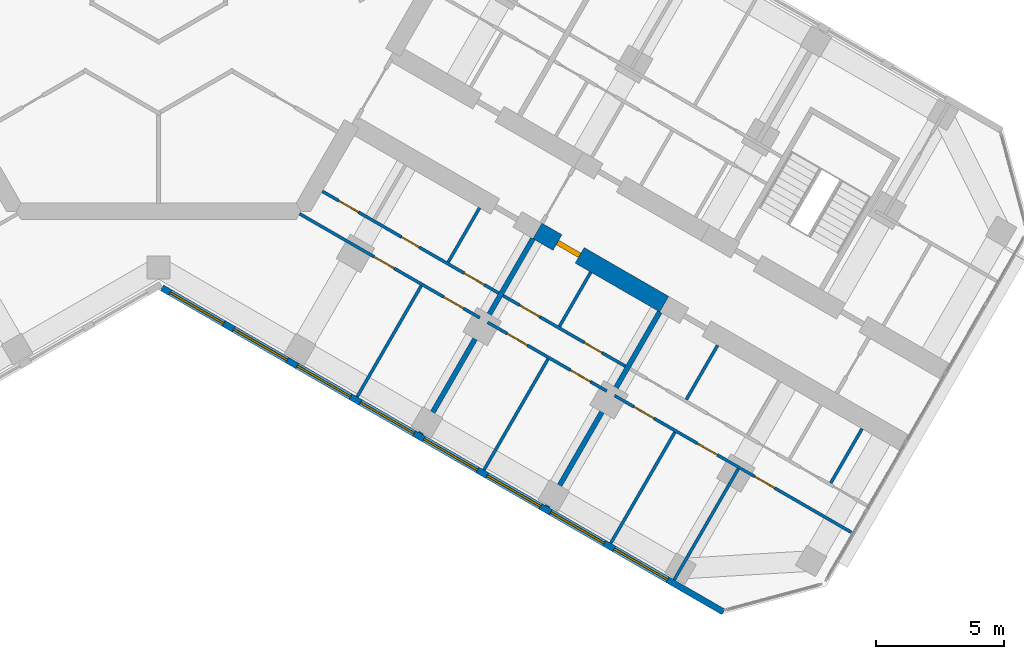
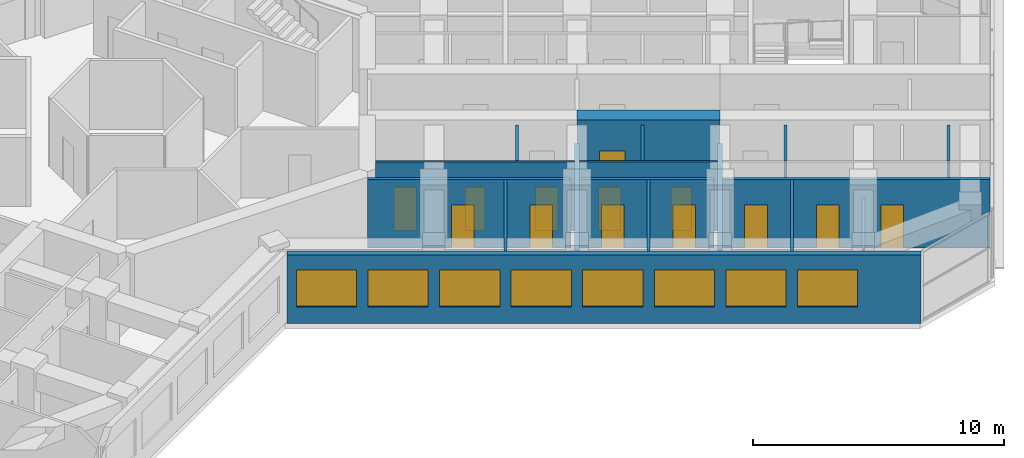
# One storey, part 11 of 17: 17 walls, 13 doors, 8 windows, 21 openings.
"""IFC4 building model written with IfcOpenShell, lengths in metres."""

from ifc_helpers import new_model, si_unit, direction, frame, frame_2d, origin, place, context, subcontext, project, spatial, rectangle, extrude, material, layer, layer_set, type_object, element, fill, save


model = new_model("IFC4")

# Units and contexts
model_context = context("Model", 3, precision=1e-05, world=origin(), true_north=direction((0.0, 1.0)))
body_context = subcontext(model_context, "Body", "Model", "MODEL_VIEW")
ifc_project = project(units=[si_unit("LENGTHUNIT", "METRE"), si_unit("AREAUNIT", "SQUARE_METRE"), si_unit("VOLUMEUNIT", "CUBIC_METRE"), si_unit("PLANEANGLEUNIT", "RADIAN"), si_unit("MASSUNIT", "GRAM", prefix="KILO")], contexts=[model_context])

# Site, building, storey
site_placement = place(None, origin())
site = spatial("IfcSite", under=ifc_project, at=site_placement, CompositionType="ELEMENT")
building_placement = place(site_placement, origin())
building = spatial("IfcBuilding", under=site, at=building_placement, Name="Kosmar Iwan School Tower", CompositionType="ELEMENT")
storey_placement = place(building_placement, frame((0.0, 0.0, 193.800048828125)))
storey = spatial("IfcBuildingStorey", under=building, at=storey_placement, Name="L48", CompositionType="ELEMENT", Elevation=193.800048828125)

# Wall, opening, door
ifc_material_1 = material(Name="Concrete C50/60", Category="concrete")
ifc_layer_1 = layer(ifc_material_1, 0.699951171875)
ifc_layer_set_1 = layer_set([ifc_layer_1], Name="Corridor buttress wall 700")
wall_type_1 = type_object("IfcWallType", Name="Corridor buttress wall 700", PredefinedType="SHEAR", material=ifc_layer_set_1)
wall_1_placement = place(storey_placement, frame((14.7451171875, -10.360595703125, 0.0), z_axis=(0.0, 0.0, 1.0), x_axis=(0.866015111908, -0.50001782563, 0.0)))
wall_1 = element("IfcWall", 1, at=wall_1_placement, inside=storey, type_object=wall_type_1, Name="Corridor wall CR bay 2", PredefinedType="SHEAR", context=body_context, shape_type="SweptSolid", body=[
    extrude(rectangle(XDim=5.699951171875, YDim=0.699951171875, at=frame_2d((2.85009765625, 0.0))), origin(), (0.0, 0.0, 1.0), 3.599853515625),
])
opening_1_placement = place(wall_1_placement, frame((0.89990234375, 0.0, 0.0)))
opening_1 = element("IfcOpeningElement", 2, at=opening_1_placement, cuts=wall_1, Name="Opening D1", PredefinedType="OPENING", context=body_context, shape_type="SweptSolid", body=[
    extrude(rectangle(XDim=1.0, YDim=2.10009765625, at=frame_2d((0.5, 1.050048828125))), frame((0.0, 0.362060546875, 0.0), z_axis=(0.0, -1.0, 0.0), x_axis=(1.0, 0.0, 0.0)), (0.0, 0.0, 1.0), 0.723876953125),
])
ifc_material_2 = material(Name="Timber fire door in steel frame", Category="steel")
door_type_1 = type_object("IfcDoorType", Name="Flat entrance door 1000x2100", OperationType="SINGLE_SWING_LEFT", PredefinedType="DOOR", material=ifc_material_2)
door_1_placement = place(opening_1_placement, origin())
door_1 = element("IfcDoor", 3, at=door_1_placement, inside=storey, type_object=door_type_1, Name="Flat L48-CR2 entrance door", OperationType="SINGLE_SWING_LEFT", OverallHeight=2.10009765625, OverallWidth=1.0, PredefinedType="DOOR", context=body_context, shape_type="SweptSolid", body=[
    extrude(rectangle(XDim=1.0, YDim=2.10009765625, at=frame_2d((0.5, 1.050048828125))), frame((0.0, 0.10009765625, 0.0), z_axis=(0.0, -1.0, 0.0), x_axis=(1.0, 0.0, 0.0)), (0.0, 0.0, 1.0), 0.199951171875),
])
fill(opening_1, door_1)

# Wall, openings, doors
ifc_material_3 = material(Name="Gypsum board on steel studs", Category="steel")
ifc_layer_2 = layer(ifc_material_3, 0.1201171875)
ifc_layer_set_2 = layer_set([ifc_layer_2], Name="Dwelling partition 120")
wall_type_2 = type_object("IfcWallType", Name="Dwelling partition 120", PredefinedType="PARTITIONING", material=ifc_layer_set_2)
wall_2_placement = place(storey_placement, frame((6.370361328125, -8.81640625, 0.0), z_axis=(0.0, 0.0, 1.0), x_axis=(0.866031683564, -0.499989122945, 0.0)))
wall_2 = element("IfcWall", 4, at=wall_2_placement, inside=storey, type_object=wall_type_2, Name="Partition L48-CR1-W1", PredefinedType="PARTITIONING", context=body_context, shape_type="SweptSolid", body=[
    extrude(rectangle(XDim=7.925048828125, YDim=0.1201171875, at=frame_2d((3.96240234375, 0.0))), origin(), (0.0, 0.0, 1.0), 3.349853515625),
])
opening_2_placement = place(wall_2_placement, frame((0.735107421875, 0.0, 0.0)))
opening_2 = element("IfcOpeningElement", 5, at=opening_2_placement, cuts=wall_2, Name="Opening D2", PredefinedType="OPENING", context=body_context, shape_type="SweptSolid", body=[
    extrude(rectangle(XDim=0.89990234375, YDim=2.10009765625, at=frame_2d((0.449951171875, 1.050048828125))), frame((0.0, 0.072021484375, 0.0), z_axis=(0.0, -1.0, 0.0), x_axis=(1.0, 0.0, 0.0)), (0.0, 0.0, 1.0), 0.14404296875),
])
opening_3_placement = place(wall_2_placement, frame((3.56005859375, 0.0, 0.0)))
opening_3 = element("IfcOpeningElement", 6, at=opening_3_placement, cuts=wall_2, Name="Opening D3", PredefinedType="OPENING", context=body_context, shape_type="SweptSolid", body=[
    extrude(rectangle(XDim=0.800048828125, YDim=2.10009765625, at=frame_2d((0.39990234375, 1.050048828125))), frame((0.0, 0.072021484375, 0.0), z_axis=(0.0, -1.0, 0.0), x_axis=(1.0, 0.0, 0.0)), (0.0, 0.0, 1.0), 0.14404296875),
])
opening_4_placement = place(wall_2_placement, frame((6.375, 0.0, 0.0)))
opening_4 = element("IfcOpeningElement", 7, at=opening_4_placement, cuts=wall_2, Name="Opening D2", PredefinedType="OPENING", context=body_context, shape_type="SweptSolid", body=[
    extrude(rectangle(XDim=0.89990234375, YDim=2.10009765625, at=frame_2d((0.449951171875, 1.050048828125))), frame((0.0, 0.072021484375, 0.0), z_axis=(0.0, -1.0, 0.0), x_axis=(1.0, 0.0, 0.0)), (0.0, 0.0, 1.0), 0.14404296875),
])
ifc_material_4 = material(Name="Timber door in timber frame", Category="wood")
door_type_2 = type_object("IfcDoorType", Name="Internal door 900x2100", OperationType="SINGLE_SWING_LEFT", PredefinedType="DOOR", material=ifc_material_4)
door_2_placement = place(opening_2_placement, origin())
door_2 = element("IfcDoor", 8, at=door_2_placement, inside=storey, type_object=door_type_2, Name="Pantry door L48-CR1-S1", OperationType="SINGLE_SWING_RIGHT", OverallHeight=2.10009765625, OverallWidth=0.89990234375, PredefinedType="DOOR", context=body_context, shape_type="SweptSolid", body=[
    extrude(rectangle(XDim=0.89990234375, YDim=2.10009765625, at=frame_2d((0.449951171875, 1.050048828125))), frame((0.0, 0.02490234375, 0.0), z_axis=(0.0, -1.0, 0.0), x_axis=(1.0, 0.0, 0.0)), (0.0, 0.0, 1.0), 0.050048828125),
])
fill(opening_2, door_2)
door_3_placement = place(opening_4_placement, origin())
door_3 = element("IfcDoor", 9, at=door_3_placement, inside=storey, type_object=door_type_2, Name="Entrance hall door L48-CR1-S3", OperationType="SINGLE_SWING_RIGHT", OverallHeight=2.10009765625, OverallWidth=0.89990234375, PredefinedType="DOOR", context=body_context, shape_type="SweptSolid", body=[
    extrude(rectangle(XDim=0.89990234375, YDim=2.10009765625, at=frame_2d((0.449951171875, 1.050048828125))), frame((0.0, 0.02490234375, 0.0), z_axis=(0.0, -1.0, 0.0), x_axis=(1.0, 0.0, 0.0)), (0.0, 0.0, 1.0), 0.050048828125),
])
fill(opening_4, door_3)
ifc_material_5 = material(Name="Timber door in timber frame", Category="wood")
door_type_3 = type_object("IfcDoorType", Name="Sanitary room door 800x2100", OperationType="SINGLE_SWING_LEFT", PredefinedType="DOOR", material=ifc_material_5)
door_4_placement = place(opening_3_placement, origin())
door_4 = element("IfcDoor", 10, at=door_4_placement, inside=storey, type_object=door_type_3, Name="Bathroom door L48-CR1-S2", OperationType="SINGLE_SWING_LEFT", OverallHeight=2.10009765625, OverallWidth=0.800048828125, PredefinedType="DOOR", context=body_context, shape_type="SweptSolid", body=[
    extrude(rectangle(XDim=0.800048828125, YDim=2.10009765625, at=frame_2d((0.39990234375, 1.050048828125))), frame((0.0, 0.02490234375, 0.0), z_axis=(0.0, -1.0, 0.0), x_axis=(1.0, 0.0, 0.0)), (0.0, 0.0, 1.0), 0.050048828125),
])
fill(opening_3, door_4)

wall_3_placement = place(storey_placement, frame((5.48876953125, -9.693115234375, 0.0), z_axis=(0.0, 0.0, 1.0), x_axis=(0.866025472755, -0.499999880539, 0.0)))
wall_3 = element("IfcWall", 11, at=wall_3_placement, inside=storey, type_object=wall_type_2, Name="Partition L48-CR1-W2", PredefinedType="PARTITIONING", context=body_context, shape_type="SweptSolid", body=[
    extrude(rectangle(XDim=8.10009765625, YDim=0.1201171875, at=frame_2d((4.050048828125, 0.0))), origin(), (0.0, 0.0, 1.0), 3.349853515625),
])
opening_5_placement = place(wall_3_placement, frame((3.35009765625, 0.0, 0.0)))
opening_5 = element("IfcOpeningElement", 12, at=opening_5_placement, cuts=wall_3, Name="Opening D2", PredefinedType="OPENING", context=body_context, shape_type="SweptSolid", body=[
    extrude(rectangle(XDim=0.89990234375, YDim=2.10009765625, at=frame_2d((0.449951171875, 1.050048828125))), frame((0.0, 0.072021484375, 0.0), z_axis=(0.0, -1.0, 0.0), x_axis=(1.0, 0.0, 0.0)), (0.0, 0.0, 1.0), 0.14404296875),
])
opening_6_placement = place(wall_3_placement, frame((6.47509765625, 0.0, 0.0)))
opening_6 = element("IfcOpeningElement", 13, at=opening_6_placement, cuts=wall_3, Name="Opening D2", PredefinedType="OPENING", context=body_context, shape_type="SweptSolid", body=[
    extrude(rectangle(XDim=0.89990234375, YDim=2.10009765625, at=frame_2d((0.449951171875, 1.050048828125))), frame((0.0, 0.072021484375, 0.0), z_axis=(0.0, -1.0, 0.0), x_axis=(1.0, 0.0, 0.0)), (0.0, 0.0, 1.0), 0.14404296875),
])
door_5_placement = place(opening_5_placement, origin())
door_5 = element("IfcDoor", 14, at=door_5_placement, inside=storey, type_object=door_type_2, Name="Living room and kitchen door L48-CR1-F1", OperationType="SINGLE_SWING_LEFT", OverallHeight=2.10009765625, OverallWidth=0.89990234375, PredefinedType="DOOR", context=body_context, shape_type="SweptSolid", body=[
    extrude(rectangle(XDim=0.89990234375, YDim=2.10009765625, at=frame_2d((0.449951171875, 1.050048828125))), frame((0.0, 0.02490234375, 0.0), z_axis=(0.0, -1.0, 0.0), x_axis=(1.0, 0.0, 0.0)), (0.0, 0.0, 1.0), 0.050048828125),
])
fill(opening_5, door_5)
door_6_placement = place(opening_6_placement, origin())
door_6 = element("IfcDoor", 15, at=door_6_placement, inside=storey, type_object=door_type_2, Name="Bedroom 1 door L48-CR1-F2", OperationType="SINGLE_SWING_RIGHT", OverallHeight=2.10009765625, OverallWidth=0.89990234375, PredefinedType="DOOR", context=body_context, shape_type="SweptSolid", body=[
    extrude(rectangle(XDim=0.89990234375, YDim=2.10009765625, at=frame_2d((0.449951171875, 1.050048828125))), frame((0.0, 0.02490234375, 0.0), z_axis=(0.0, -1.0, 0.0), x_axis=(1.0, 0.0, 0.0)), (0.0, 0.0, 1.0), 0.050048828125),
])
fill(opening_6, door_6)

# Walls
wall_4_placement = place(storey_placement, frame((10.221923828125, -12.4951171875, 0.0), z_axis=(0.0, 0.0, 1.0), x_axis=(-0.499996339024, -0.86602751744, 0.0)))
element("IfcWall", 16, at=wall_4_placement, inside=storey, type_object=wall_type_2, Name="Partition L48-CR1-X1", PredefinedType="PARTITIONING", context=body_context, shape_type="SweptSolid", body=[
    extrude(rectangle(XDim=4.98974609375, YDim=0.1201171875, at=frame_2d((2.494873046875, 0.0))), origin(), (0.0, 0.0, 1.0), 3.349853515625),
])
wall_5_placement = place(storey_placement, frame((12.49169921875, -9.463623046875, 0.0), z_axis=(0.0, 0.0, 1.0), x_axis=(-0.499959183527, -0.866048967903, 0.0)))
element("IfcWall", 17, at=wall_5_placement, inside=storey, type_object=wall_type_2, Name="Partition L48-CR1-Y2", PredefinedType="PARTITIONING", context=body_context, shape_type="SweptSolid", body=[
    extrude(rectangle(XDim=2.440185546875, YDim=0.1201171875, at=frame_2d((1.22021484375, 0.0))), origin(), (0.0, 0.0, 1.0), 3.349853515625),
])

# Wall, openings, doors
wall_6_placement = place(storey_placement, frame((13.40673828125, -12.87890625, 0.0), z_axis=(0.0, 0.0, 1.0), x_axis=(0.866027397988, -0.499996545922, 0.0)))
wall_6 = element("IfcWall", 18, at=wall_6_placement, inside=storey, type_object=wall_type_2, Name="Partition L48-CR2-W1", PredefinedType="PARTITIONING", context=body_context, shape_type="SweptSolid", body=[
    extrude(rectangle(XDim=5.5, YDim=0.1201171875, at=frame_2d((2.75, 0.0))), origin(), (0.0, 0.0, 1.0), 3.349853515625),
])
opening_7_placement = place(wall_6_placement, frame((0.75, 0.0, 0.0)))
opening_7 = element("IfcOpeningElement", 19, at=opening_7_placement, cuts=wall_6, Name="Opening D2", PredefinedType="OPENING", context=body_context, shape_type="SweptSolid", body=[
    extrude(rectangle(XDim=0.89990234375, YDim=2.10009765625, at=frame_2d((0.449951171875, 1.050048828125))), frame((0.0, 0.072021484375, 0.0), z_axis=(0.0, -1.0, 0.0), x_axis=(1.0, 0.0, 0.0)), (0.0, 0.0, 1.0), 0.14404296875),
])
opening_8_placement = place(wall_6_placement, frame((3.64990234375, 0.0, 0.0)))
opening_8 = element("IfcOpeningElement", 20, at=opening_8_placement, cuts=wall_6, Name="Opening D3", PredefinedType="OPENING", context=body_context, shape_type="SweptSolid", body=[
    extrude(rectangle(XDim=0.800048828125, YDim=2.10009765625, at=frame_2d((0.39990234375, 1.050048828125))), frame((0.0, 0.072021484375, 0.0), z_axis=(0.0, -1.0, 0.0), x_axis=(1.0, 0.0, 0.0)), (0.0, 0.0, 1.0), 0.14404296875),
])
door_7_placement = place(opening_7_placement, origin())
door_7 = element("IfcDoor", 21, at=door_7_placement, inside=storey, type_object=door_type_2, Name="Entrance hall door L48-CR2-S1", OperationType="SINGLE_SWING_RIGHT", OverallHeight=2.10009765625, OverallWidth=0.89990234375, PredefinedType="DOOR", context=body_context, shape_type="SweptSolid", body=[
    extrude(rectangle(XDim=0.89990234375, YDim=2.10009765625, at=frame_2d((0.449951171875, 1.050048828125))), frame((0.0, 0.02490234375, 0.0), z_axis=(0.0, -1.0, 0.0), x_axis=(1.0, 0.0, 0.0)), (0.0, 0.0, 1.0), 0.050048828125),
])
fill(opening_7, door_7)
door_8_placement = place(opening_8_placement, origin())
door_8 = element("IfcDoor", 22, at=door_8_placement, inside=storey, type_object=door_type_3, Name="Bathroom door L48-CR2-S2", OperationType="SINGLE_SWING_RIGHT", OverallHeight=2.10009765625, OverallWidth=0.800048828125, PredefinedType="DOOR", context=body_context, shape_type="SweptSolid", body=[
    extrude(rectangle(XDim=0.800048828125, YDim=2.10009765625, at=frame_2d((0.39990234375, 1.050048828125))), frame((0.0, 0.02490234375, 0.0), z_axis=(0.0, -1.0, 0.0), x_axis=(1.0, 0.0, 0.0)), (0.0, 0.0, 1.0), 0.050048828125),
])
fill(opening_8, door_8)

wall_7_placement = place(storey_placement, frame((12.806640625, -13.91796875, 0.0), z_axis=(0.0, 0.0, 1.0), x_axis=(0.866024483152, -0.500001594578, 0.0)))
wall_7 = element("IfcWall", 23, at=wall_7_placement, inside=storey, type_object=wall_type_2, Name="Partition L48-CR2-W2", PredefinedType="PARTITIONING", context=body_context, shape_type="SweptSolid", body=[
    extrude(rectangle(XDim=5.35009765625, YDim=0.1201171875, at=frame_2d((2.675048828125, 0.0))), origin(), (0.0, 0.0, 1.0), 3.349853515625),
])
opening_9_placement = place(wall_7_placement, frame((0.875, 0.0, 0.0)))
opening_9 = element("IfcOpeningElement", 24, at=opening_9_placement, cuts=wall_7, Name="Opening D2", PredefinedType="OPENING", context=body_context, shape_type="SweptSolid", body=[
    extrude(rectangle(XDim=0.89990234375, YDim=2.10009765625, at=frame_2d((0.449951171875, 1.050048828125))), frame((0.0, 0.072021484375, 0.0), z_axis=(0.0, -1.0, 0.0), x_axis=(1.0, 0.0, 0.0)), (0.0, 0.0, 1.0), 0.14404296875),
])
opening_10_placement = place(wall_7_placement, frame((3.72509765625, 0.0, 0.0)))
opening_10 = element("IfcOpeningElement", 25, at=opening_10_placement, cuts=wall_7, Name="Opening D2", PredefinedType="OPENING", context=body_context, shape_type="SweptSolid", body=[
    extrude(rectangle(XDim=0.89990234375, YDim=2.10009765625, at=frame_2d((0.449951171875, 1.050048828125))), frame((0.0, 0.072021484375, 0.0), z_axis=(0.0, -1.0, 0.0), x_axis=(1.0, 0.0, 0.0)), (0.0, 0.0, 1.0), 0.14404296875),
])
door_9_placement = place(opening_9_placement, origin())
door_9 = element("IfcDoor", 26, at=door_9_placement, inside=storey, type_object=door_type_2, Name="Living room and kitchen door L48-CR2-F1", OperationType="SINGLE_SWING_LEFT", OverallHeight=2.10009765625, OverallWidth=0.89990234375, PredefinedType="DOOR", context=body_context, shape_type="SweptSolid", body=[
    extrude(rectangle(XDim=0.89990234375, YDim=2.10009765625, at=frame_2d((0.449951171875, 1.050048828125))), frame((0.0, 0.02490234375, 0.0), z_axis=(0.0, -1.0, 0.0), x_axis=(1.0, 0.0, 0.0)), (0.0, 0.0, 1.0), 0.050048828125),
])
fill(opening_9, door_9)
door_10_placement = place(opening_10_placement, origin())
door_10 = element("IfcDoor", 27, at=door_10_placement, inside=storey, type_object=door_type_2, Name="Bedroom 1 door L48-CR2-F2", OperationType="SINGLE_SWING_RIGHT", OverallHeight=2.10009765625, OverallWidth=0.89990234375, PredefinedType="DOOR", context=body_context, shape_type="SweptSolid", body=[
    extrude(rectangle(XDim=0.89990234375, YDim=2.10009765625, at=frame_2d((0.449951171875, 1.050048828125))), frame((0.0, 0.02490234375, 0.0), z_axis=(0.0, -1.0, 0.0), x_axis=(1.0, 0.0, 0.0)), (0.0, 0.0, 1.0), 0.050048828125),
])
fill(opening_10, door_10)

# Walls
wall_8_placement = place(storey_placement, frame((15.158447265625, -15.344970703125, 0.0), z_axis=(0.0, 0.0, 1.0), x_axis=(-0.500011847778, -0.866018563358, 0.0)))
element("IfcWall", 28, at=wall_8_placement, inside=storey, type_object=wall_type_2, Name="Partition L48-CR2-X1", PredefinedType="PARTITIONING", context=body_context, shape_type="SweptSolid", body=[
    extrude(rectangle(XDim=4.990234375, YDim=0.1201171875, at=frame_2d((2.4951171875, 0.0))), origin(), (0.0, 0.0, 1.0), 3.349853515625),
])
wall_9_placement = place(storey_placement, frame((16.82177734375, -11.963623046875, 0.0), z_axis=(0.0, 0.0, 1.0), x_axis=(-0.499959183527, -0.866048967903, 0.0)))
element("IfcWall", 29, at=wall_9_placement, inside=storey, type_object=wall_type_2, Name="Partition L48-CR2-Y1", PredefinedType="PARTITIONING", context=body_context, shape_type="SweptSolid", body=[
    extrude(rectangle(XDim=2.440185546875, YDim=0.1201171875, at=frame_2d((1.22021484375, 0.0))), origin(), (0.0, 0.0, 1.0), 3.349853515625),
])

# Wall, openings, doors
wall_10_placement = place(storey_placement, frame((17.7431640625, -16.76806640625, 0.0), z_axis=(0.0, 0.0, 1.0), x_axis=(0.866022882905, -0.500004366266, 0.0)))
wall_10 = element("IfcWall", 30, at=wall_10_placement, inside=storey, type_object=wall_type_2, Name="Partition L48-CR3-W2", PredefinedType="PARTITIONING", context=body_context, shape_type="SweptSolid", body=[
    extrude(rectangle(XDim=10.64501953125, YDim=0.1201171875, at=frame_2d((5.322509765625, 0.0))), origin(), (0.0, 0.0, 1.0), 3.349853515625),
])
opening_11_placement = place(wall_10_placement, frame((0.875, 0.0, 0.0)))
opening_11 = element("IfcOpeningElement", 31, at=opening_11_placement, cuts=wall_10, Name="Opening D2", PredefinedType="OPENING", context=body_context, shape_type="SweptSolid", body=[
    extrude(rectangle(XDim=0.89990234375, YDim=2.10009765625, at=frame_2d((0.449951171875, 1.050048828125))), frame((0.0, 0.072021484375, 0.0), z_axis=(0.0, -1.0, 0.0), x_axis=(1.0, 0.0, 0.0)), (0.0, 0.0, 1.0), 0.14404296875),
])
opening_12_placement = place(wall_10_placement, frame((3.72509765625, 0.0, 0.0)))
opening_12 = element("IfcOpeningElement", 32, at=opening_12_placement, cuts=wall_10, Name="Opening D2", PredefinedType="OPENING", context=body_context, shape_type="SweptSolid", body=[
    extrude(rectangle(XDim=0.89990234375, YDim=2.10009765625, at=frame_2d((0.449951171875, 1.050048828125))), frame((0.0, 0.072021484375, 0.0), z_axis=(0.0, -1.0, 0.0), x_axis=(1.0, 0.0, 0.0)), (0.0, 0.0, 1.0), 0.14404296875),
])
opening_13_placement = place(wall_10_placement, frame((6.300048828125, 0.0, 0.0)))
opening_13 = element("IfcOpeningElement", 33, at=opening_13_placement, cuts=wall_10, Name="Opening D2", PredefinedType="OPENING", context=body_context, shape_type="SweptSolid", body=[
    extrude(rectangle(XDim=0.89990234375, YDim=2.10009765625, at=frame_2d((0.449951171875, 1.050048828125))), frame((0.0, 0.072021484375, 0.0), z_axis=(0.0, -1.0, 0.0), x_axis=(1.0, 0.0, 0.0)), (0.0, 0.0, 1.0), 0.14404296875),
])
door_11_placement = place(opening_11_placement, origin())
door_11 = element("IfcDoor", 34, at=door_11_placement, inside=storey, type_object=door_type_2, Name="Grandparents' suite door L48-CR3-F1", OperationType="SINGLE_SWING_LEFT", OverallHeight=2.10009765625, OverallWidth=0.89990234375, PredefinedType="DOOR", context=body_context, shape_type="SweptSolid", body=[
    extrude(rectangle(XDim=0.89990234375, YDim=2.10009765625, at=frame_2d((0.449951171875, 1.050048828125))), frame((0.0, 0.02490234375, 0.0), z_axis=(0.0, -1.0, 0.0), x_axis=(1.0, 0.0, 0.0)), (0.0, 0.0, 1.0), 0.050048828125),
])
fill(opening_11, door_11)
door_12_placement = place(opening_12_placement, origin())
door_12 = element("IfcDoor", 35, at=door_12_placement, inside=storey, type_object=door_type_2, Name="Bedroom 1 door L48-CR3-F2", OperationType="SINGLE_SWING_LEFT", OverallHeight=2.10009765625, OverallWidth=0.89990234375, PredefinedType="DOOR", context=body_context, shape_type="SweptSolid", body=[
    extrude(rectangle(XDim=0.89990234375, YDim=2.10009765625, at=frame_2d((0.449951171875, 1.050048828125))), frame((0.0, 0.02490234375, 0.0), z_axis=(0.0, -1.0, 0.0), x_axis=(1.0, 0.0, 0.0)), (0.0, 0.0, 1.0), 0.050048828125),
])
fill(opening_12, door_12)
door_13_placement = place(opening_13_placement, origin())
door_13 = element("IfcDoor", 36, at=door_13_placement, inside=storey, type_object=door_type_2, Name="Living room and kitchen door L48-CR3-F3", OperationType="SINGLE_SWING_RIGHT", OverallHeight=2.10009765625, OverallWidth=0.89990234375, PredefinedType="DOOR", context=body_context, shape_type="SweptSolid", body=[
    extrude(rectangle(XDim=0.89990234375, YDim=2.10009765625, at=frame_2d((0.449951171875, 1.050048828125))), frame((0.0, 0.02490234375, 0.0), z_axis=(0.0, -1.0, 0.0), x_axis=(1.0, 0.0, 0.0)), (0.0, 0.0, 1.0), 0.050048828125),
])
fill(opening_13, door_13)

# Walls
wall_11_placement = place(storey_placement, frame((20.0947265625, -18.195068359375, 0.0), z_axis=(0.0, 0.0, 1.0), x_axis=(-0.500011847778, -0.866018563358, 0.0)))
element("IfcWall", 37, at=wall_11_placement, inside=storey, type_object=wall_type_2, Name="Partition L48-CR3-X1", PredefinedType="PARTITIONING", context=body_context, shape_type="SweptSolid", body=[
    extrude(rectangle(XDim=4.990234375, YDim=0.1201171875, at=frame_2d((2.4951171875, 0.0))), origin(), (0.0, 0.0, 1.0), 3.349853515625),
])
wall_12_placement = place(storey_placement, frame((22.562744140625, -19.6201171875, 0.0), z_axis=(0.0, 0.0, 1.0), x_axis=(-0.499996339024, -0.86602751744, 0.0)))
element("IfcWall", 38, at=wall_12_placement, inside=storey, type_object=wall_type_2, Name="Partition L48-CR3-X2", PredefinedType="PARTITIONING", context=body_context, shape_type="SweptSolid", body=[
    extrude(rectangle(XDim=4.98974609375, YDim=0.1201171875, at=frame_2d((2.494873046875, 0.0))), origin(), (0.0, 0.0, 1.0), 2.449951171875),
])
for number, where, z_axis, x_axis, name in (
    (39, (21.758056640625, -14.813720703125, 0.0), (0.0, 0.0, 1.0), (-0.500002508028, -0.866023955769, 0.0), "Partition L48-CR3-Y1"),
    (40, (27.382568359375, -18.06103515625, 0.0), (0.0, 0.0, 1.0), (-0.500002508028, -0.866023955769, 0.0), "Partition L48-CR3-Y4"),
):
    element("IfcWall", number, at=place(storey_placement, frame(where, z_axis=z_axis, x_axis=x_axis)), inside=storey, type_object=wall_type_2, Name=name, PredefinedType="PARTITIONING", context=body_context, shape_type="SweptSolid", body=[
        extrude(rectangle(XDim=2.43994140625, YDim=0.1201171875, at=frame_2d((1.219970703125, 0.0))), origin(), (0.0, 0.0, 1.0), 3.349853515625),
    ])

# Wall, openings, windows
ifc_material_6 = material(Name="Black aluminium rainscreen on insulated framing", Category="aluminium")
ifc_layer_3 = layer(ifc_material_6, 0.25)
ifc_layer_set_3 = layer_set([ifc_layer_3], Name="External wall rainscreen 250")
wall_type_3 = type_object("IfcWallType", Name="External wall rainscreen 250", PredefinedType="SOLIDWALL", material=ifc_layer_set_3)
wall_13_placement = place(storey_placement, frame((0.137939453125, -12.5791015625, 0.0), z_axis=(0.0, 0.0, 1.0), x_axis=(0.866023775649, -0.500002820003, 0.0)))
wall_13 = element("IfcWall", 41, at=wall_13_placement, inside=storey, type_object=wall_type_3, Name="External wall CR L48", PredefinedType="SOLIDWALL", context=body_context, shape_type="SweptSolid", body=[
    extrude(rectangle(XDim=25.226318359375, YDim=0.25, at=frame_2d((12.61328125, 0.0))), origin(), (0.0, 0.0, 1.0), 3.349853515625),
])
opening_14_placement = place(wall_13_placement, frame((0.365966796875, 0.0, 0.800048828125)))
opening_14 = element("IfcOpeningElement", 42, at=opening_14_placement, cuts=wall_13, Name="Opening W5", PredefinedType="OPENING", context=body_context, shape_type="SweptSolid", body=[
    extrude(rectangle(XDim=2.39990234375, YDim=1.800048828125, at=frame_2d((1.199951171875, 0.89990234375))), frame((0.0, 0.136962890625, 0.0), z_axis=(0.0, -1.0, 0.0), x_axis=(1.0, 0.0, 0.0)), (0.0, 0.0, 1.0), 0.27392578125),
])
opening_15_placement = place(wall_13_placement, frame((3.216064453125, 0.0, 0.800048828125)))
opening_15 = element("IfcOpeningElement", 43, at=opening_15_placement, cuts=wall_13, Name="Opening W5", PredefinedType="OPENING", context=body_context, shape_type="SweptSolid", body=[
    extrude(rectangle(XDim=2.39990234375, YDim=1.800048828125, at=frame_2d((1.199951171875, 0.89990234375))), frame((0.0, 0.136962890625, 0.0), z_axis=(0.0, -1.0, 0.0), x_axis=(1.0, 0.0, 0.0)), (0.0, 0.0, 1.0), 0.27392578125),
])
opening_16_placement = place(wall_13_placement, frame((6.06591796875, 0.0, 0.800048828125)))
opening_16 = element("IfcOpeningElement", 44, at=opening_16_placement, cuts=wall_13, Name="Opening W5", PredefinedType="OPENING", context=body_context, shape_type="SweptSolid", body=[
    extrude(rectangle(XDim=2.39990234375, YDim=1.800048828125, at=frame_2d((1.199951171875, 0.89990234375))), frame((0.0, 0.136962890625, 0.0), z_axis=(0.0, -1.0, 0.0), x_axis=(1.0, 0.0, 0.0)), (0.0, 0.0, 1.0), 0.27392578125),
])
opening_17_placement = place(wall_13_placement, frame((8.916015625, 0.0, 0.800048828125)))
opening_17 = element("IfcOpeningElement", 45, at=opening_17_placement, cuts=wall_13, Name="Opening W5", PredefinedType="OPENING", context=body_context, shape_type="SweptSolid", body=[
    extrude(rectangle(XDim=2.39990234375, YDim=1.800048828125, at=frame_2d((1.199951171875, 0.89990234375))), frame((0.0, 0.136962890625, 0.0), z_axis=(0.0, -1.0, 0.0), x_axis=(1.0, 0.0, 0.0)), (0.0, 0.0, 1.0), 0.27392578125),
])
opening_18_placement = place(wall_13_placement, frame((11.76611328125, 0.0, 0.800048828125)))
opening_18 = element("IfcOpeningElement", 46, at=opening_18_placement, cuts=wall_13, Name="Opening W5", PredefinedType="OPENING", context=body_context, shape_type="SweptSolid", body=[
    extrude(rectangle(XDim=2.39990234375, YDim=1.800048828125, at=frame_2d((1.199951171875, 0.89990234375))), frame((0.0, 0.136962890625, 0.0), z_axis=(0.0, -1.0, 0.0), x_axis=(1.0, 0.0, 0.0)), (0.0, 0.0, 1.0), 0.27392578125),
])
opening_19_placement = place(wall_13_placement, frame((14.615966796875, 0.0, 0.800048828125)))
opening_19 = element("IfcOpeningElement", 47, at=opening_19_placement, cuts=wall_13, Name="Opening W5", PredefinedType="OPENING", context=body_context, shape_type="SweptSolid", body=[
    extrude(rectangle(XDim=2.39990234375, YDim=1.800048828125, at=frame_2d((1.199951171875, 0.89990234375))), frame((0.0, 0.136962890625, 0.0), z_axis=(0.0, -1.0, 0.0), x_axis=(1.0, 0.0, 0.0)), (0.0, 0.0, 1.0), 0.27392578125),
])
opening_20_placement = place(wall_13_placement, frame((17.466064453125, 0.0, 0.800048828125)))
opening_20 = element("IfcOpeningElement", 48, at=opening_20_placement, cuts=wall_13, Name="Opening W5", PredefinedType="OPENING", context=body_context, shape_type="SweptSolid", body=[
    extrude(rectangle(XDim=2.39990234375, YDim=1.800048828125, at=frame_2d((1.199951171875, 0.89990234375))), frame((0.0, 0.136962890625, 0.0), z_axis=(0.0, -1.0, 0.0), x_axis=(1.0, 0.0, 0.0)), (0.0, 0.0, 1.0), 0.27392578125),
])
opening_21_placement = place(wall_13_placement, frame((20.31591796875, 0.0, 0.800048828125)))
opening_21 = element("IfcOpeningElement", 49, at=opening_21_placement, cuts=wall_13, Name="Opening W5", PredefinedType="OPENING", context=body_context, shape_type="SweptSolid", body=[
    extrude(rectangle(XDim=2.39990234375, YDim=1.800048828125, at=frame_2d((1.199951171875, 0.89990234375))), frame((0.0, 0.136962890625, 0.0), z_axis=(0.0, -1.0, 0.0), x_axis=(1.0, 0.0, 0.0)), (0.0, 0.0, 1.0), 0.27392578125),
])
ifc_material_7 = material(Name="Black aluminium frame with dark triple glazing", Category="aluminium")
window_type = type_object("IfcWindowType", Name="Window 2400x1800", PartitioningType="SINGLE_PANEL", PredefinedType="WINDOW", material=ifc_material_7)
window_1_placement = place(opening_14_placement, origin())
window_1 = element("IfcWindow", 50, at=window_1_placement, inside=storey, type_object=window_type, Name="Window CR L48 -1", OverallHeight=1.800048828125, OverallWidth=2.39990234375, PartitioningType="SINGLE_PANEL", PredefinedType="WINDOW", context=body_context, shape_type="SweptSolid", body=[
    extrude(rectangle(XDim=2.39990234375, YDim=1.800048828125, at=frame_2d((1.199951171875, 0.89990234375))), frame((0.0, 0.030029296875, 0.0), z_axis=(0.0, -1.0, 0.0), x_axis=(1.0, 0.0, 0.0)), (0.0, 0.0, 1.0), 0.06005859375),
])
fill(opening_14, window_1)
window_2_placement = place(opening_15_placement, origin())
window_2 = element("IfcWindow", 51, at=window_2_placement, inside=storey, type_object=window_type, Name="Window CR L48 0", OverallHeight=1.800048828125, OverallWidth=2.39990234375, PartitioningType="SINGLE_PANEL", PredefinedType="WINDOW", context=body_context, shape_type="SweptSolid", body=[
    extrude(rectangle(XDim=2.39990234375, YDim=1.800048828125, at=frame_2d((1.199951171875, 0.89990234375))), frame((0.0, 0.030029296875, 0.0), z_axis=(0.0, -1.0, 0.0), x_axis=(1.0, 0.0, 0.0)), (0.0, 0.0, 1.0), 0.06005859375),
])
fill(opening_15, window_2)
window_3_placement = place(opening_16_placement, origin())
window_3 = element("IfcWindow", 52, at=window_3_placement, inside=storey, type_object=window_type, Name="Window CR L48 1", OverallHeight=1.800048828125, OverallWidth=2.39990234375, PartitioningType="SINGLE_PANEL", PredefinedType="WINDOW", context=body_context, shape_type="SweptSolid", body=[
    extrude(rectangle(XDim=2.39990234375, YDim=1.800048828125, at=frame_2d((1.199951171875, 0.89990234375))), frame((0.0, 0.030029296875, 0.0), z_axis=(0.0, -1.0, 0.0), x_axis=(1.0, 0.0, 0.0)), (0.0, 0.0, 1.0), 0.06005859375),
])
fill(opening_16, window_3)
window_4_placement = place(opening_17_placement, origin())
window_4 = element("IfcWindow", 53, at=window_4_placement, inside=storey, type_object=window_type, Name="Window CR L48 2", OverallHeight=1.800048828125, OverallWidth=2.39990234375, PartitioningType="SINGLE_PANEL", PredefinedType="WINDOW", context=body_context, shape_type="SweptSolid", body=[
    extrude(rectangle(XDim=2.39990234375, YDim=1.800048828125, at=frame_2d((1.199951171875, 0.89990234375))), frame((0.0, 0.030029296875, 0.0), z_axis=(0.0, -1.0, 0.0), x_axis=(1.0, 0.0, 0.0)), (0.0, 0.0, 1.0), 0.06005859375),
])
fill(opening_17, window_4)
window_5_placement = place(opening_18_placement, origin())
window_5 = element("IfcWindow", 54, at=window_5_placement, inside=storey, type_object=window_type, Name="Window CR L48 3", OverallHeight=1.800048828125, OverallWidth=2.39990234375, PartitioningType="SINGLE_PANEL", PredefinedType="WINDOW", context=body_context, shape_type="SweptSolid", body=[
    extrude(rectangle(XDim=2.39990234375, YDim=1.800048828125, at=frame_2d((1.199951171875, 0.89990234375))), frame((0.0, 0.030029296875, 0.0), z_axis=(0.0, -1.0, 0.0), x_axis=(1.0, 0.0, 0.0)), (0.0, 0.0, 1.0), 0.06005859375),
])
fill(opening_18, window_5)
window_6_placement = place(opening_19_placement, origin())
window_6 = element("IfcWindow", 55, at=window_6_placement, inside=storey, type_object=window_type, Name="Window CR L48 4", OverallHeight=1.800048828125, OverallWidth=2.39990234375, PartitioningType="SINGLE_PANEL", PredefinedType="WINDOW", context=body_context, shape_type="SweptSolid", body=[
    extrude(rectangle(XDim=2.39990234375, YDim=1.800048828125, at=frame_2d((1.199951171875, 0.89990234375))), frame((0.0, 0.030029296875, 0.0), z_axis=(0.0, -1.0, 0.0), x_axis=(1.0, 0.0, 0.0)), (0.0, 0.0, 1.0), 0.06005859375),
])
fill(opening_19, window_6)
window_7_placement = place(opening_20_placement, origin())
window_7 = element("IfcWindow", 56, at=window_7_placement, inside=storey, type_object=window_type, Name="Window CR L48 5", OverallHeight=1.800048828125, OverallWidth=2.39990234375, PartitioningType="SINGLE_PANEL", PredefinedType="WINDOW", context=body_context, shape_type="SweptSolid", body=[
    extrude(rectangle(XDim=2.39990234375, YDim=1.800048828125, at=frame_2d((1.199951171875, 0.89990234375))), frame((0.0, 0.030029296875, 0.0), z_axis=(0.0, -1.0, 0.0), x_axis=(1.0, 0.0, 0.0)), (0.0, 0.0, 1.0), 0.06005859375),
])
fill(opening_20, window_7)
window_8_placement = place(opening_21_placement, origin())
window_8 = element("IfcWindow", 57, at=window_8_placement, inside=storey, type_object=window_type, Name="Window CR L48 6", OverallHeight=1.800048828125, OverallWidth=2.39990234375, PartitioningType="SINGLE_PANEL", PredefinedType="WINDOW", context=body_context, shape_type="SweptSolid", body=[
    extrude(rectangle(XDim=2.39990234375, YDim=1.800048828125, at=frame_2d((1.199951171875, 0.89990234375))), frame((0.0, 0.030029296875, 0.0), z_axis=(0.0, -1.0, 0.0), x_axis=(1.0, 0.0, 0.0)), (0.0, 0.0, 1.0), 0.06005859375),
])
fill(opening_21, window_8)

# Walls
ifc_material_8 = material(Name="Concrete block masonry", Category="masonry")
ifc_layer_4 = layer(ifc_material_8, 0.199951171875)
ifc_layer_set_4 = layer_set([ifc_layer_4], Name="Party wall 200")
wall_type_4 = type_object("IfcWallType", Name="Party wall 200", PredefinedType="PARTITIONING", material=ifc_layer_set_4)
wall_14_placement = place(storey_placement, frame((14.570068359375, -10.663818359375, 0.0), z_axis=(0.0, 0.0, 1.0), x_axis=(-0.500004234368, -0.866022959057, 0.0)))
element("IfcWall", 58, at=wall_14_placement, inside=storey, type_object=wall_type_4, Name="Partition L48-CR2-PW", PredefinedType="PARTITIONING", context=body_context, shape_type="SweptSolid", body=[
    extrude(rectangle(XDim=8.75, YDim=0.199951171875, at=frame_2d((4.375, 0.0))), origin(), (0.0, 0.0, 1.0), 2.449951171875),
])
wall_15_placement = place(storey_placement, frame((19.506591796875, -13.513671875, 0.0), z_axis=(0.0, 0.0, 1.0), x_axis=(-0.499992152613, -0.866029934428, 0.0)))
element("IfcWall", 59, at=wall_15_placement, inside=storey, type_object=wall_type_4, Name="Partition L48-CR3-PW", PredefinedType="PARTITIONING", context=body_context, shape_type="SweptSolid", body=[
    extrude(rectangle(XDim=8.750244140625, YDim=0.199951171875, at=frame_2d((4.375, 0.0))), origin(), (0.0, 0.0, 1.0), 2.449951171875),
])

save(model, "model.ifc")
